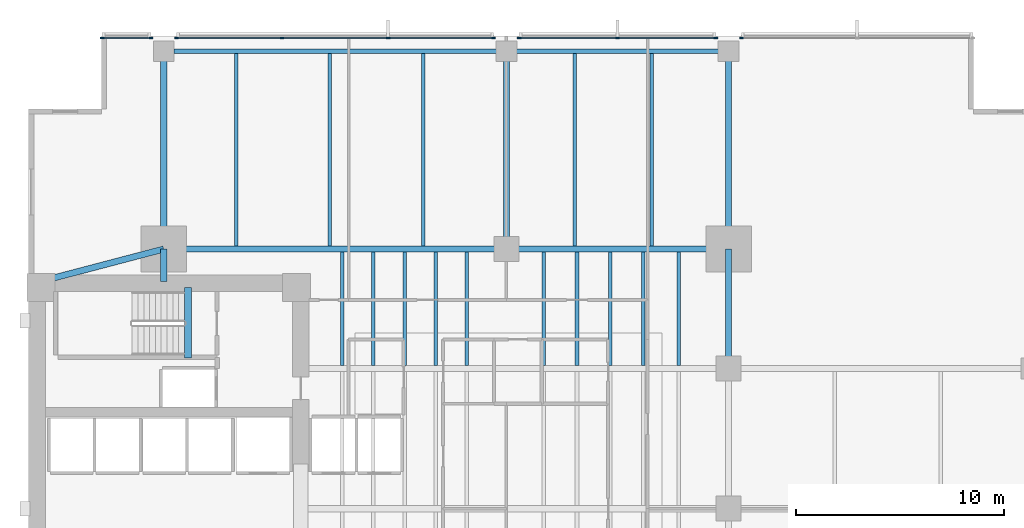
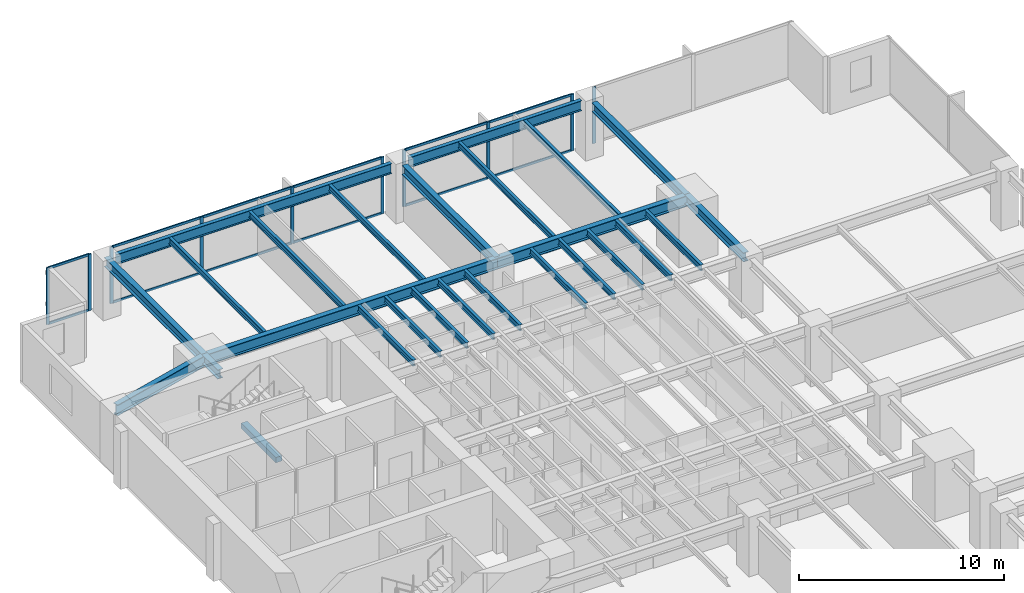
# One storey, part 5 of 15: 26 beams, 22 members, 4 elements without a shape of their own.
"""IFC4 building model written with IfcOpenShell, lengths in metres."""

from ifc_helpers import new_model, si_unit, direction, frame, origin, origin_2d, place, context, subcontext, project, spatial, rectangle, i_section, extrude, material, layer, layer_set, material_profile, profile_set, type_object, element, aggregate, save


model = new_model("IFC4")

# Units and contexts
model_context = context("Model", 3, precision=1e-05, world=origin(), true_north=direction((0.0, 1.0)))
body_context = subcontext(model_context, "Body", "Model", "MODEL_VIEW")
ifc_project = project(units=[si_unit("LENGTHUNIT", "METRE"), si_unit("AREAUNIT", "SQUARE_METRE"), si_unit("VOLUMEUNIT", "CUBIC_METRE"), si_unit("PLANEANGLEUNIT", "RADIAN"), si_unit("MASSUNIT", "GRAM", prefix="KILO")], contexts=[model_context])

# Site, building, storey
site_placement = place(None, origin())
site = spatial("IfcSite", under=ifc_project, at=site_placement, CompositionType="ELEMENT")
building_placement = place(site_placement, origin())
building = spatial("IfcBuilding", under=site, at=building_placement, Name="Kinhvarn Gate Tower", CompositionType="ELEMENT")
storey_placement = place(building_placement, frame((0.0, 0.0, 39.800048828125)))
storey = spatial("IfcBuildingStorey", under=building, at=storey_placement, Name="L09", CompositionType="ELEMENT", Elevation=39.800048828125)

# Beam
ifc_material_1 = material(Name="Concrete C50/60", Category="concrete")
ifc_material_profile_1 = material_profile(ifc_material_1, rectangle(XDim=0.340087890625, YDim=0.320068359375, at=origin_2d()), Name="RC 340x320")
ifc_profile_set_1 = profile_set([ifc_material_profile_1], Name="Concrete C50/60")
beam_type_1 = type_object("IfcBeamType", Name="BM-LND-500", PredefinedType="BEAM", material=ifc_profile_set_1)
beam_1_placement = place(storey_placement, frame((12.1650390625, 32.5, -0.16015625), z_axis=(0.0, 1.0, 0.0), x_axis=(-1.0, 0.0, 0.0)))
element("IfcBeam", 1, at=beam_1_placement, inside=storey, type_object=beam_type_1, Name="Stair ST2 Landing Nosing Beam (L09)", PredefinedType="BEAM", context=body_context, shape_type="SweptSolid", body=[
    extrude(rectangle(XDim=0.340087890625, YDim=0.320068359375, at=origin_2d()), origin(), (0.0, 0.0, 1.0), 3.39990234375),
])

# Curtain wall, member
ifc_material_2 = material(Name="Anodised aluminium AW-6063", Category="aluminium")
ifc_layer = layer(ifc_material_2, 0.179931640625)
ifc_layer_set = layer_set([ifc_layer], Name="Anodised aluminium AW-6063")
curtain_wall_type = type_object("IfcCurtainWallType", Name="CW-SYS-2", PredefinedType="NOTDEFINED", material=ifc_layer_set)
curtain_wall_1_placement = place(storey_placement, origin())
curtain_wall_1 = element("IfcCurtainWall", 2, at=curtain_wall_1_placement, inside=storey, type_object=curtain_wall_type, Name="Curtain Wall CW2 (L09)", PredefinedType="NOTDEFINED")
ifc_material_profile_2 = material_profile(ifc_material_2, rectangle(XDim=0.070068359375, YDim=0.179931640625, at=origin_2d()), Name="ALU 70x180")
ifc_profile_set_2 = profile_set([ifc_material_profile_2], Name="Anodised aluminium AW-6063")
member_type_1 = type_object("IfcMemberType", Name="CW-MUL-180", PredefinedType="MULLION", material=ifc_profile_set_2)
member_1_placement = place(storey_placement, frame((38.81494140625, 47.909912109375, 0.0), z_axis=(0.0, 0.0, 1.0), x_axis=(0.0, -1.0, 0.0)))
member_1 = element("IfcMember", 3, at=member_1_placement, type_object=member_type_1, Name="CW2 mullion 3", PredefinedType="MULLION", context=body_context, shape_type="SweptSolid", body=[
    extrude(rectangle(XDim=0.070068359375, YDim=0.179931640625, at=origin_2d()), origin(), (0.0, 0.0, 1.0), 3.369873046875),
])
aggregate(curtain_wall_1, [member_1])

# Curtain wall, members
curtain_wall_2_placement = place(storey_placement, origin())
curtain_wall_2 = element("IfcCurtainWall", 4, at=curtain_wall_2_placement, inside=storey, type_object=curtain_wall_type, Name="Curtain Wall CW2 (L09)", PredefinedType="NOTDEFINED")
member_2_placement = place(storey_placement, frame((37.5849609375, 47.909912109375, 0.0), z_axis=(0.0, 0.0, 1.0), x_axis=(0.0, -1.0, 0.0)))
member_2 = element("IfcMember", 5, at=member_2_placement, type_object=member_type_1, Name="CW2 mullion 1", PredefinedType="MULLION", context=body_context, shape_type="SweptSolid", body=[
    extrude(rectangle(XDim=0.070068359375, YDim=0.179931640625, at=origin_2d()), origin(), (0.0, 0.0, 1.0), 3.369873046875),
])
member_3_placement = place(storey_placement, frame((32.85009765625, 47.909912109375, 0.0), z_axis=(0.0, 0.0, 1.0), x_axis=(0.0, -1.0, 0.0)))
member_3 = element("IfcMember", 6, at=member_3_placement, type_object=member_type_1, Name="CW2 mullion 2", PredefinedType="MULLION", context=body_context, shape_type="SweptSolid", body=[
    extrude(rectangle(XDim=0.070068359375, YDim=0.179931640625, at=origin_2d()), origin(), (0.0, 0.0, 1.0), 3.369873046875),
])
member_4_placement = place(storey_placement, frame((28.114990234375, 47.909912109375, 0.0), z_axis=(0.0, 0.0, 1.0), x_axis=(0.0, -1.0, 0.0)))
member_4 = element("IfcMember", 7, at=member_4_placement, type_object=member_type_1, Name="CW2 mullion 3", PredefinedType="MULLION", context=body_context, shape_type="SweptSolid", body=[
    extrude(rectangle(XDim=0.070068359375, YDim=0.179931640625, at=origin_2d()), origin(), (0.0, 0.0, 1.0), 3.369873046875),
])

curtain_wall_3_placement = place(storey_placement, origin())
curtain_wall_3 = element("IfcCurtainWall", 8, at=curtain_wall_3_placement, inside=storey, type_object=curtain_wall_type, Name="Curtain Wall CW2 (L09)", PredefinedType="NOTDEFINED")
member_5_placement = place(storey_placement, frame((26.885009765625, 47.909912109375, 0.0), z_axis=(0.0, 0.0, 1.0), x_axis=(0.0, -1.0, 0.0)))
member_5 = element("IfcMember", 9, at=member_5_placement, type_object=member_type_1, Name="CW2 mullion 1", PredefinedType="MULLION", context=body_context, shape_type="SweptSolid", body=[
    extrude(rectangle(XDim=0.070068359375, YDim=0.179931640625, at=origin_2d()), origin(), (0.0, 0.0, 1.0), 3.369873046875),
])
member_6_placement = place(storey_placement, frame((21.806640625, 47.909912109375, 0.0), z_axis=(0.0, 0.0, 1.0), x_axis=(0.0, -1.0, 0.0)))
member_6 = element("IfcMember", 10, at=member_6_placement, type_object=member_type_1, Name="CW2 mullion 2", PredefinedType="MULLION", context=body_context, shape_type="SweptSolid", body=[
    extrude(rectangle(XDim=0.070068359375, YDim=0.179931640625, at=origin_2d()), origin(), (0.0, 0.0, 1.0), 3.369873046875),
])
member_7_placement = place(storey_placement, frame((16.693359375, 47.909912109375, 0.0), z_axis=(0.0, 0.0, 1.0), x_axis=(0.0, -1.0, 0.0)))
member_7 = element("IfcMember", 11, at=member_7_placement, type_object=member_type_1, Name="CW2 mullion 3", PredefinedType="MULLION", context=body_context, shape_type="SweptSolid", body=[
    extrude(rectangle(XDim=0.070068359375, YDim=0.179931640625, at=origin_2d()), origin(), (0.0, 0.0, 1.0), 3.369873046875),
])
member_8_placement = place(storey_placement, frame((11.614990234375, 47.909912109375, 0.0), z_axis=(0.0, 0.0, 1.0), x_axis=(0.0, -1.0, 0.0)))
member_8 = element("IfcMember", 12, at=member_8_placement, type_object=member_type_1, Name="CW2 mullion 4", PredefinedType="MULLION", context=body_context, shape_type="SweptSolid", body=[
    extrude(rectangle(XDim=0.070068359375, YDim=0.179931640625, at=origin_2d()), origin(), (0.0, 0.0, 1.0), 3.369873046875),
])

curtain_wall_4_placement = place(storey_placement, origin())
curtain_wall_4 = element("IfcCurtainWall", 13, at=curtain_wall_4_placement, inside=storey, type_object=curtain_wall_type, Name="Curtain Wall CW2 (L09)", PredefinedType="NOTDEFINED")
member_9_placement = place(storey_placement, frame((10.385009765625, 47.909912109375, 0.0), z_axis=(0.0, 0.0, 1.0), x_axis=(0.0, -1.0, 0.0)))
member_9 = element("IfcMember", 14, at=member_9_placement, type_object=member_type_1, Name="CW2 mullion 1", PredefinedType="MULLION", context=body_context, shape_type="SweptSolid", body=[
    extrude(rectangle(XDim=0.070068359375, YDim=0.179931640625, at=origin_2d()), origin(), (0.0, 0.0, 1.0), 3.369873046875),
])
member_10_placement = place(storey_placement, frame((8.034912109375, 47.909912109375, 0.0), z_axis=(0.0, 0.0, 1.0), x_axis=(0.0, -1.0, 0.0)))
member_10 = element("IfcMember", 15, at=member_10_placement, type_object=member_type_1, Name="CW2 mullion 2", PredefinedType="MULLION", context=body_context, shape_type="SweptSolid", body=[
    extrude(rectangle(XDim=0.070068359375, YDim=0.179931640625, at=origin_2d()), origin(), (0.0, 0.0, 1.0), 3.369873046875),
])

# Member
ifc_material_profile_3 = material_profile(ifc_material_2, rectangle(XDim=0.070068359375, YDim=0.139892578125, at=origin_2d()), Name="ALU 70x140")
ifc_profile_set_3 = profile_set([ifc_material_profile_3], Name="Anodised aluminium AW-6063")
member_type_2 = type_object("IfcMemberType", Name="CW-TRN-140", PredefinedType="USERDEFINED", material=ifc_profile_set_3)
member_11_placement = place(storey_placement, frame((37.550048828125, 47.909912109375, 0.034912109375), z_axis=(-1.0, 0.0, 0.0), x_axis=(0.0, -1.0, 0.0)))
member_11 = element("IfcMember", 16, at=member_11_placement, type_object=member_type_2, Name="CW2 transom 1.1", ObjectType="TRANSOM", PredefinedType="USERDEFINED", context=body_context, shape_type="SweptSolid", body=[
    extrude(rectangle(XDim=0.070068359375, YDim=0.139892578125, at=origin_2d()), origin(), (0.0, 0.0, 1.0), 4.6650390625),
])

member_12_placement = place(storey_placement, frame((37.550048828125, 47.909912109375, 3.3349609375), z_axis=(-1.0, 0.0, 0.0), x_axis=(0.0, -1.0, 0.0)))
member_12 = element("IfcMember", 17, at=member_12_placement, type_object=member_type_2, Name="CW2 transom 1.2", ObjectType="TRANSOM", PredefinedType="USERDEFINED", context=body_context, shape_type="SweptSolid", body=[
    extrude(rectangle(XDim=0.070068359375, YDim=0.139892578125, at=origin_2d()), origin(), (0.0, 0.0, 1.0), 4.6650390625),
])

member_13_placement = place(storey_placement, frame((32.81494140625, 47.909912109375, 0.034912109375), z_axis=(-1.0, 0.0, 0.0), x_axis=(0.0, -1.0, 0.0)))
member_13 = element("IfcMember", 18, at=member_13_placement, type_object=member_type_2, Name="CW2 transom 2.1", ObjectType="TRANSOM", PredefinedType="USERDEFINED", context=body_context, shape_type="SweptSolid", body=[
    extrude(rectangle(XDim=0.070068359375, YDim=0.139892578125, at=origin_2d()), origin(), (0.0, 0.0, 1.0), 4.6650390625),
])

member_14_placement = place(storey_placement, frame((32.81494140625, 47.909912109375, 3.3349609375), z_axis=(-1.0, 0.0, 0.0), x_axis=(0.0, -1.0, 0.0)))
member_14 = element("IfcMember", 19, at=member_14_placement, type_object=member_type_2, Name="CW2 transom 2.2", ObjectType="TRANSOM", PredefinedType="USERDEFINED", context=body_context, shape_type="SweptSolid", body=[
    extrude(rectangle(XDim=0.070068359375, YDim=0.139892578125, at=origin_2d()), origin(), (0.0, 0.0, 1.0), 4.6650390625),
])

aggregate(curtain_wall_2, [member_2, member_3, member_4, member_11, member_12, member_13, member_14])

member_15_placement = place(storey_placement, frame((26.85009765625, 47.909912109375, 0.034912109375), z_axis=(-1.0, 0.0, 0.0), x_axis=(0.0, -1.0, 0.0)))
member_15 = element("IfcMember", 20, at=member_15_placement, type_object=member_type_2, Name="CW2 transom 1.1", ObjectType="TRANSOM", PredefinedType="USERDEFINED", context=body_context, shape_type="SweptSolid", body=[
    extrude(rectangle(XDim=0.070068359375, YDim=0.139892578125, at=origin_2d()), origin(), (0.0, 0.0, 1.0), 5.008544921875),
])

member_16_placement = place(storey_placement, frame((26.85009765625, 47.909912109375, 3.3349609375), z_axis=(-1.0, 0.0, 0.0), x_axis=(0.0, -1.0, 0.0)))
member_16 = element("IfcMember", 21, at=member_16_placement, type_object=member_type_2, Name="CW2 transom 1.2", ObjectType="TRANSOM", PredefinedType="USERDEFINED", context=body_context, shape_type="SweptSolid", body=[
    extrude(rectangle(XDim=0.070068359375, YDim=0.139892578125, at=origin_2d()), origin(), (0.0, 0.0, 1.0), 5.008544921875),
])

member_17_placement = place(storey_placement, frame((21.771728515625, 47.909912109375, 0.034912109375), z_axis=(-1.0, 0.0, 0.0), x_axis=(0.0, -1.0, 0.0)))
member_17 = element("IfcMember", 22, at=member_17_placement, type_object=member_type_2, Name="CW2 transom 2.1", ObjectType="TRANSOM", PredefinedType="USERDEFINED", context=body_context, shape_type="SweptSolid", body=[
    extrude(rectangle(XDim=0.070068359375, YDim=0.139892578125, at=origin_2d()), origin(), (0.0, 0.0, 1.0), 5.04345703125),
])

member_18_placement = place(storey_placement, frame((21.771728515625, 47.909912109375, 3.3349609375), z_axis=(-1.0, 0.0, 0.0), x_axis=(0.0, -1.0, 0.0)))
member_18 = element("IfcMember", 23, at=member_18_placement, type_object=member_type_2, Name="CW2 transom 2.2", ObjectType="TRANSOM", PredefinedType="USERDEFINED", context=body_context, shape_type="SweptSolid", body=[
    extrude(rectangle(XDim=0.070068359375, YDim=0.139892578125, at=origin_2d()), origin(), (0.0, 0.0, 1.0), 5.04345703125),
])

member_19_placement = place(storey_placement, frame((16.658447265625, 47.909912109375, 0.034912109375), z_axis=(-1.0, 0.0, 0.0), x_axis=(0.0, -1.0, 0.0)))
member_19 = element("IfcMember", 24, at=member_19_placement, type_object=member_type_2, Name="CW2 transom 3.1", ObjectType="TRANSOM", PredefinedType="USERDEFINED", context=body_context, shape_type="SweptSolid", body=[
    extrude(rectangle(XDim=0.070068359375, YDim=0.139892578125, at=origin_2d()), origin(), (0.0, 0.0, 1.0), 5.008544921875),
])

member_20_placement = place(storey_placement, frame((16.658447265625, 47.909912109375, 3.3349609375), z_axis=(-1.0, 0.0, 0.0), x_axis=(0.0, -1.0, 0.0)))
member_20 = element("IfcMember", 25, at=member_20_placement, type_object=member_type_2, Name="CW2 transom 3.2", ObjectType="TRANSOM", PredefinedType="USERDEFINED", context=body_context, shape_type="SweptSolid", body=[
    extrude(rectangle(XDim=0.070068359375, YDim=0.139892578125, at=origin_2d()), origin(), (0.0, 0.0, 1.0), 5.008544921875),
])

aggregate(curtain_wall_3, [member_5, member_6, member_7, member_8, member_15, member_16, member_17, member_18, member_19, member_20])

member_21_placement = place(storey_placement, frame((10.35009765625, 47.909912109375, 0.034912109375), z_axis=(-1.0, 0.0, 0.0), x_axis=(0.0, -1.0, 0.0)))
member_21 = element("IfcMember", 26, at=member_21_placement, type_object=member_type_2, Name="CW2 transom 1.1", ObjectType="TRANSOM", PredefinedType="USERDEFINED", context=body_context, shape_type="SweptSolid", body=[
    extrude(rectangle(XDim=0.070068359375, YDim=0.139892578125, at=origin_2d()), origin(), (0.0, 0.0, 1.0), 2.280029296875),
])

member_22_placement = place(storey_placement, frame((10.35009765625, 47.909912109375, 3.3349609375), z_axis=(-1.0, 0.0, 0.0), x_axis=(0.0, -1.0, 0.0)))
member_22 = element("IfcMember", 27, at=member_22_placement, type_object=member_type_2, Name="CW2 transom 1.2", ObjectType="TRANSOM", PredefinedType="USERDEFINED", context=body_context, shape_type="SweptSolid", body=[
    extrude(rectangle(XDim=0.070068359375, YDim=0.139892578125, at=origin_2d()), origin(), (0.0, 0.0, 1.0), 2.280029296875),
])

aggregate(curtain_wall_4, [member_9, member_10, member_21, member_22])

# Beams
ifc_material_3 = material(Name="Steel S355", Category="steel")
ifc_material_profile_4 = material_profile(ifc_material_3, i_section(OverallWidth=0.300048828125, OverallDepth=0.550048828125, WebThickness=0.014892578125, FlangeThickness=0.029052734375, at=origin_2d()), Name="HEB 550")
ifc_profile_set_4 = profile_set([ifc_material_profile_4], Name="Steel S355")
beam_type_2 = type_object("IfcBeamType", Name="STL-HEB550", PredefinedType="BEAM", material=ifc_profile_set_4)
beam_2_placement = place(storey_placement, frame((11.0, 36.199951171875, 3.094970703125), z_axis=(0.0, 1.0, 0.0), x_axis=(-1.0, 0.0, 0.0)))
element("IfcBeam", 28, at=beam_2_placement, inside=storey, type_object=beam_type_2, Name="Floor Beam PG-15 (L09 MCW-CN)", PredefinedType="BEAM", context=body_context, shape_type="SweptSolid", body=[
    extrude(i_section(OverallWidth=0.300048828125, OverallDepth=0.550048828125, WebThickness=0.014892578125, FlangeThickness=0.029052734375, at=origin_2d()), origin(), (0.0, 0.0, 1.0), 1.550048828125),
])
beam_3_placement = place(storey_placement, frame((11.0, 37.75, 3.094970703125), z_axis=(0.0, 1.0, 0.0), x_axis=(-1.0, 0.0, 0.0)))
element("IfcBeam", 29, at=beam_3_placement, inside=storey, type_object=beam_type_2, Name="Floor Beam PG-15 (L09 MCW-N)", PredefinedType="BEAM", context=body_context, shape_type="SweptSolid", body=[
    extrude(i_section(OverallWidth=0.300048828125, OverallDepth=0.550048828125, WebThickness=0.014892578125, FlangeThickness=0.029052734375, at=origin_2d()), origin(), (0.0, 0.0, 1.0), 9.530029296875),
])
for number, where, z_axis, x_axis, name in (
    (30, (27.5, 37.75, 3.094970703125), (0.0, 1.0, 0.0), (-1.0, 0.0, 0.0), "Floor Beam PG-15 (L09 SP27-N-TIE)"),
    (31, (38.199951171875, 37.75, 3.094970703125), (0.0, 1.0, 0.0), (-1.0, 0.0, 0.0), "Floor Beam PG-15 (L09 MCE-N)"),
):
    element("IfcBeam", number, at=place(storey_placement, frame(where, z_axis=z_axis, x_axis=x_axis)), inside=storey, type_object=beam_type_2, Name=name, PredefinedType="BEAM", context=body_context, shape_type="SweptSolid", body=[
        extrude(i_section(OverallWidth=0.300048828125, OverallDepth=0.550048828125, WebThickness=0.014892578125, FlangeThickness=0.029052734375, at=origin_2d()), origin(), (0.0, 0.0, 1.0), 9.044921875),
    ])
beam_4_placement = place(storey_placement, frame((38.199951171875, 32.0, 3.094970703125), z_axis=(0.0, 1.0, 0.0), x_axis=(-1.0, 0.0, 0.0)))
element("IfcBeam", 32, at=beam_4_placement, inside=storey, type_object=beam_type_2, Name="Floor Beam PG-15 (L09 MG-E-32)", PredefinedType="BEAM", context=body_context, shape_type="SweptSolid", body=[
    extrude(i_section(OverallWidth=0.300048828125, OverallDepth=0.550048828125, WebThickness=0.014892578125, FlangeThickness=0.029052734375, at=origin_2d()), origin(), (0.0, 0.0, 1.0), 5.75),
])
ifc_material_profile_5 = material_profile(ifc_material_3, i_section(OverallWidth=0.300048828125, OverallDepth=0.64990234375, WebThickness=0.01611328125, FlangeThickness=0.031005859375, at=origin_2d()), Name="HEB 650")
ifc_profile_set_5 = profile_set([ifc_material_profile_5], Name="Steel S355")
beam_type_3 = type_object("IfcBeamType", Name="STL-HEB650", PredefinedType="BEAM", material=ifc_profile_set_5)
beam_5_placement = place(storey_placement, frame((11.0, 37.75, 3.044921875), z_axis=(1.0, 0.0, 0.0), x_axis=(0.0, 1.0, 0.0)))
element("IfcBeam", 33, at=beam_5_placement, inside=storey, type_object=beam_type_3, Name="Floor Beam PG-17 (L09 MG-N1)", PredefinedType="BEAM", context=body_context, shape_type="SweptSolid", body=[
    extrude(i_section(OverallWidth=0.300048828125, OverallDepth=0.64990234375, WebThickness=0.01611328125, FlangeThickness=0.031005859375, at=origin_2d()), origin(), (0.0, 0.0, 1.0), 16.5),
])
beam_6_placement = place(storey_placement, frame((27.5, 37.75, 3.044921875), z_axis=(1.0, 0.0, 0.0), x_axis=(0.0, 1.0, 0.0)))
element("IfcBeam", 34, at=beam_6_placement, inside=storey, type_object=beam_type_3, Name="Floor Beam PG-17 (L09 MG-N2)", PredefinedType="BEAM", context=body_context, shape_type="SweptSolid", body=[
    extrude(i_section(OverallWidth=0.300048828125, OverallDepth=0.64990234375, WebThickness=0.01611328125, FlangeThickness=0.031005859375, at=origin_2d()), origin(), (0.0, 0.0, 1.0), 10.699951171875),
])
beam_7_placement = place(storey_placement, frame((5.10009765625, 36.199951171875, 3.044921875), z_axis=(0.967177623957, 0.254101246979, 0.0), x_axis=(-0.254101246979, 0.967177623957, 0.0)))
element("IfcBeam", 35, at=beam_7_placement, inside=storey, type_object=beam_type_3, Name="Floor Beam PG-17 (L09 MG-NW-DIAG)", PredefinedType="BEAM", context=body_context, shape_type="SweptSolid", body=[
    extrude(i_section(OverallWidth=0.300048828125, OverallDepth=0.64990234375, WebThickness=0.01611328125, FlangeThickness=0.031005859375, at=origin_2d()), origin(), (0.0, 0.0, 1.0), 6.10009765625),
])
ifc_material_profile_6 = material_profile(ifc_material_3, i_section(OverallWidth=0.169921875, OverallDepth=0.360107421875, WebThickness=0.008056640625, FlangeThickness=0.0126953125, at=origin_2d()), Name="IPE 360")
ifc_profile_set_6 = profile_set([ifc_material_profile_6], Name="Steel S355")
beam_type_4 = type_object("IfcBeamType", Name="STL-IPE360", PredefinedType="JOIST", material=ifc_profile_set_6)
for number, where, z_axis, x_axis, name in (
    (36, (19.60009765625, 32.14990234375, 3.18994140625), (0.0, 1.0, 0.0), (-1.0, 0.0, 0.0), "Floor Joist SB-04 (L09 JC-X196-3)"),
    (37, (21.10009765625, 32.14990234375, 3.18994140625), (0.0, 1.0, 0.0), (-1.0, 0.0, 0.0), "Floor Joist SB-04 (L09 JC-X211-3)"),
    (38, (22.60009765625, 32.14990234375, 3.18994140625), (0.0, 1.0, 0.0), (-1.0, 0.0, 0.0), "Floor Joist SB-04 (L09 JC-X226-3)"),
    (39, (24.10009765625, 32.14990234375, 3.18994140625), (0.0, 1.0, 0.0), (-1.0, 0.0, 0.0), "Floor Joist SB-04 (L09 JC-X241-3)"),
    (40, (25.60009765625, 32.14990234375, 3.18994140625), (0.0, 1.0, 0.0), (-1.0, 0.0, 0.0), "Floor Joist SB-04 (L09 JC-X256-3)"),
    (41, (29.300048828125, 32.14990234375, 3.18994140625), (0.0, 1.0, 0.0), (-1.0, 0.0, 0.0), "Floor Joist SB-04 (L09 JC-X293-3)"),
    (42, (30.89990234375, 32.14990234375, 3.18994140625), (0.0, 1.0, 0.0), (-1.0, 0.0, 0.0), "Floor Joist SB-04 (L09 JC-X309-3)"),
    (43, (32.5, 32.14990234375, 3.18994140625), (0.0, 1.0, 0.0), (-1.0, 0.0, 0.0), "Floor Joist SB-04 (L09 JC-X325-3)"),
    (44, (34.10009765625, 32.14990234375, 3.18994140625), (0.0, 1.0, 0.0), (-1.0, 0.0, 0.0), "Floor Joist SB-04 (L09 JC-X341-3)"),
    (45, (35.800048828125, 32.14990234375, 3.18994140625), (0.0, 1.0, 0.0), (-1.0, 0.0, 0.0), "Floor Joist SB-04 (L09 JC-X358-3)"),
):
    element("IfcBeam", number, at=place(storey_placement, frame(where, z_axis=z_axis, x_axis=x_axis)), inside=storey, type_object=beam_type_4, Name=name, PredefinedType="JOIST", context=body_context, shape_type="SweptSolid", body=[
        extrude(i_section(OverallWidth=0.169921875, OverallDepth=0.360107421875, WebThickness=0.008056640625, FlangeThickness=0.0126953125, at=origin_2d()), origin(), (0.0, 0.0, 1.0), 5.4501953125),
    ])
for number, where, z_axis, x_axis, name in (
    (46, (14.5, 37.89990234375, 3.18994140625), (0.0, 1.0, 0.0), (-1.0, 0.0, 0.0), "Floor Joist SB-04 (L09 JN-X145)"),
    (47, (19.0, 37.89990234375, 3.18994140625), (0.0, 1.0, 0.0), (-1.0, 0.0, 0.0), "Floor Joist SB-04 (L09 JN-X190)"),
    (48, (23.5, 37.89990234375, 3.18994140625), (0.0, 1.0, 0.0), (-1.0, 0.0, 0.0), "Floor Joist SB-04 (L09 JN-X235)"),
    (49, (30.800048828125, 37.89990234375, 3.18994140625), (0.0, 1.0, 0.0), (-1.0, 0.0, 0.0), "Floor Joist SB-04 (L09 JN-X308)"),
    (50, (34.5, 37.89990234375, 3.18994140625), (0.0, 1.0, 0.0), (-1.0, 0.0, 0.0), "Floor Joist SB-04 (L09 JN-X345)"),
):
    element("IfcBeam", number, at=place(storey_placement, frame(where, z_axis=z_axis, x_axis=x_axis)), inside=storey, type_object=beam_type_4, Name=name, PredefinedType="JOIST", context=body_context, shape_type="SweptSolid", body=[
        extrude(i_section(OverallWidth=0.169921875, OverallDepth=0.360107421875, WebThickness=0.008056640625, FlangeThickness=0.0126953125, at=origin_2d()), origin(), (0.0, 0.0, 1.0), 9.27001953125),
    ])
ifc_material_profile_7 = material_profile(ifc_material_3, i_section(OverallWidth=0.219970703125, OverallDepth=0.60009765625, WebThickness=0.011962890625, FlangeThickness=0.01904296875, at=origin_2d()), Name="IPE 600")
ifc_profile_set_7 = profile_set([ifc_material_profile_7], Name="Steel S355")
beam_type_5 = type_object("IfcBeamType", Name="STL-IPE600", PredefinedType="SPANDREL", material=ifc_profile_set_7)
beam_8_placement = place(storey_placement, frame((11.485107421875, 47.280029296875, 3.070068359375), z_axis=(1.0, 0.0, 0.0), x_axis=(0.0, 1.0, 0.0)))
element("IfcBeam", 51, at=beam_8_placement, inside=storey, type_object=beam_type_5, Name="Floor Spandrel SB-09 (L09 SP-N1)", PredefinedType="SPANDREL", context=body_context, shape_type="SweptSolid", body=[
    extrude(i_section(OverallWidth=0.219970703125, OverallDepth=0.60009765625, WebThickness=0.011962890625, FlangeThickness=0.01904296875, at=origin_2d()), origin(), (0.0, 0.0, 1.0), 15.52978515625),
])
beam_9_placement = place(storey_placement, frame((27.985107421875, 47.280029296875, 3.070068359375), z_axis=(1.0, 0.0, 0.0), x_axis=(0.0, 1.0, 0.0)))
element("IfcBeam", 52, at=beam_9_placement, inside=storey, type_object=beam_type_5, Name="Floor Spandrel SB-09 (L09 SP-N2)", PredefinedType="SPANDREL", context=body_context, shape_type="SweptSolid", body=[
    extrude(i_section(OverallWidth=0.219970703125, OverallDepth=0.60009765625, WebThickness=0.011962890625, FlangeThickness=0.01904296875, at=origin_2d()), origin(), (0.0, 0.0, 1.0), 9.72998046875),
])

save(model, "model.ifc")
